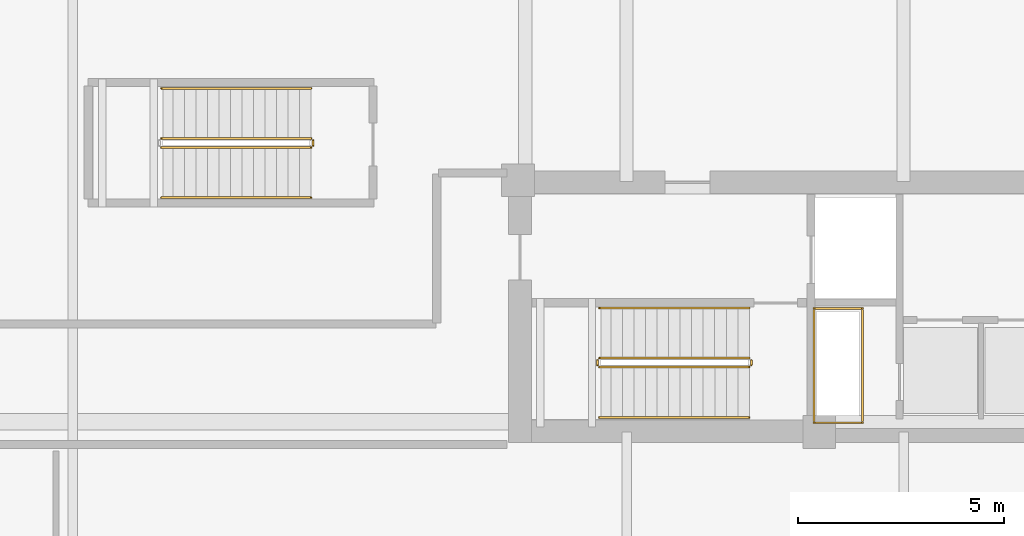
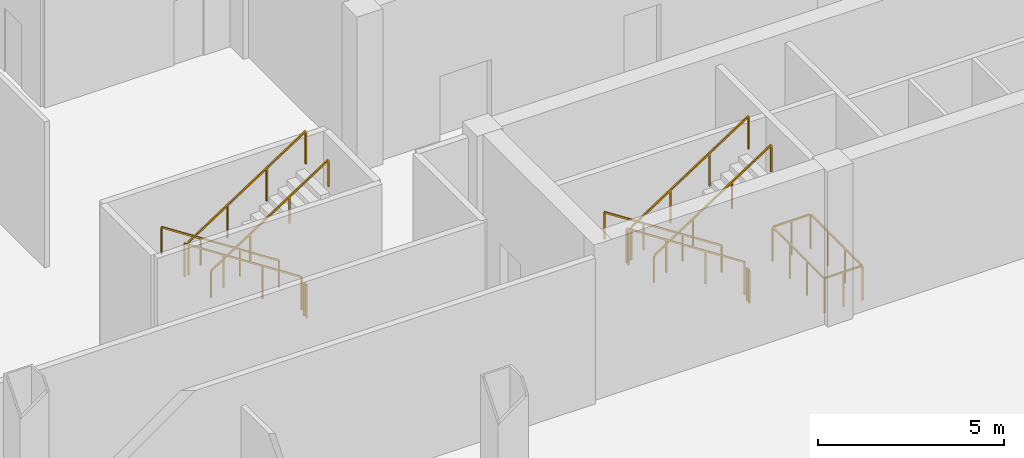
# One storey, part 16 of 21: 12 railings.
"""IFC4 building model written with IfcOpenShell, lengths in metres."""

from ifc_helpers import new_model, si_unit, direction, frame, origin, origin_2d, place, context, subcontext, project, spatial, rectangle, extrude, material, type_object, element, save


model = new_model("IFC4")

# Units and contexts
model_context = context("Model", 3, precision=1e-05, world=origin(), true_north=direction((0.0, 1.0)))
body_context = subcontext(model_context, "Body", "Model", "MODEL_VIEW")
ifc_project = project(units=[si_unit("LENGTHUNIT", "METRE"), si_unit("AREAUNIT", "SQUARE_METRE"), si_unit("VOLUMEUNIT", "CUBIC_METRE"), si_unit("PLANEANGLEUNIT", "RADIAN"), si_unit("MASSUNIT", "GRAM", prefix="KILO")], contexts=[model_context])

# Site, building, storey
site_placement = place(None, origin())
site = spatial("IfcSite", under=ifc_project, at=site_placement, CompositionType="ELEMENT")
building_placement = place(site_placement, origin())
building = spatial("IfcBuilding", under=site, at=building_placement, Name="Qhalaya Broadcast Tower", CompositionType="ELEMENT")
storey_placement = place(building_placement, origin())
storey = spatial("IfcBuildingStorey", under=building, at=storey_placement, Name="L00", CompositionType="ELEMENT", Elevation=0.0)

# Railings
ifc_material = material(Name="Powder-Coated Galvanised Steel", Category="steel")
railing_type_1 = type_object("IfcRailingType", Name="Stair Wall Handrail 900", PredefinedType="HANDRAIL", material=ifc_material)
railing_1_placement = place(storey_placement, frame((-3.75, -5.72998046875, 0.18212890625)))
element("IfcRailing", 1, at=railing_1_placement, inside=storey, type_object=railing_type_1, Name="L00 ST-2 Stair Handrail 1", PredefinedType="HANDRAIL", context=body_context, shape_type="SweptSolid", body=[
    extrude(rectangle(XDim=0.048095703125, YDim=0.048095703125, at=origin_2d()), frame((0.0, 0.0, 0.8759765625), z_axis=(-0.838234174257, 0.0, 0.545310433706), x_axis=(0.0, -1.0, 0.0)), (0.0, 0.0, 1.0), 4.34228515625),
    extrude(rectangle(XDim=0.0419921875, YDim=0.0419921875, at=origin_2d()), origin(), (0.0, 0.0, 1.0), 0.849853515625),
    extrude(rectangle(XDim=0.0419921875, YDim=0.0419921875, at=origin_2d()), frame((-1.21337890625, 0.0, 0.789306640625)), (0.0, 0.0, 1.0), 0.849853515625),
    extrude(rectangle(XDim=0.0419921875, YDim=0.0419921875, at=origin_2d()), frame((-2.426513671875, 0.0, 1.57861328125)), (0.0, 0.0, 1.0), 0.849853515625),
    extrude(rectangle(XDim=0.0419921875, YDim=0.0419921875, at=origin_2d()), frame((-3.639892578125, 0.0, 2.367919921875)), (0.0, 0.0, 1.0), 0.849853515625),
])
railing_2_placement = place(storey_placement, frame((-7.389892578125, -8.389892578125, 2.732177734375)))
element("IfcRailing", 2, at=railing_2_placement, inside=storey, type_object=railing_type_1, Name="L00 ST-2 Stair Handrail 2", PredefinedType="HANDRAIL", context=body_context, shape_type="SweptSolid", body=[
    extrude(rectangle(XDim=0.048095703125, YDim=0.048095703125, at=origin_2d()), frame((0.0, 0.0, 0.8759765625), z_axis=(0.838234174257, 0.0, 0.545310433706), x_axis=(0.0, 1.0, 0.0)), (0.0, 0.0, 1.0), 4.34228515625),
    extrude(rectangle(XDim=0.0419921875, YDim=0.0419921875, at=origin_2d()), origin(), (0.0, 0.0, 1.0), 0.849853515625),
    extrude(rectangle(XDim=0.0419921875, YDim=0.0419921875, at=origin_2d()), frame((1.21337890625, 0.0, 0.789306640625)), (0.0, 0.0, 1.0), 0.849853515625),
    extrude(rectangle(XDim=0.0419921875, YDim=0.0419921875, at=origin_2d()), frame((2.426513671875, 0.0, 1.57861328125)), (0.0, 0.0, 1.0), 0.849853515625),
    extrude(rectangle(XDim=0.0419921875, YDim=0.0419921875, at=origin_2d()), frame((3.639892578125, 0.0, 2.367919921875)), (0.0, 0.0, 1.0), 0.849853515625),
])
railing_3_placement = place(storey_placement, frame((-14.39990234375, -0.389892578125, 0.18212890625)))
element("IfcRailing", 3, at=railing_3_placement, inside=storey, type_object=railing_type_1, Name="L00 ST-P1 Stair Handrail 1", PredefinedType="HANDRAIL", context=body_context, shape_type="SweptSolid", body=[
    extrude(rectangle(XDim=0.048095703125, YDim=0.048095703125, at=origin_2d()), frame((0.0, 0.0, 0.8759765625), z_axis=(-0.83825089185, 0.0, 0.545284735081), x_axis=(0.0, -1.0, 0.0)), (0.0, 0.0, 1.0), 4.342529296875),
    extrude(rectangle(XDim=0.0419921875, YDim=0.0419921875, at=origin_2d()), origin(), (0.0, 0.0, 1.0), 0.849853515625),
    extrude(rectangle(XDim=0.0419921875, YDim=0.0419921875, at=origin_2d()), frame((-1.21337890625, 0.0, 0.789306640625)), (0.0, 0.0, 1.0), 0.849853515625),
    extrude(rectangle(XDim=0.0419921875, YDim=0.0419921875, at=origin_2d()), frame((-2.4267578125, 0.0, 1.57861328125)), (0.0, 0.0, 1.0), 0.849853515625),
    extrude(rectangle(XDim=0.0419921875, YDim=0.0419921875, at=origin_2d()), frame((-3.64013671875, 0.0, 2.367919921875)), (0.0, 0.0, 1.0), 0.849853515625),
])
railing_4_placement = place(storey_placement, frame((-18.0400390625, -3.050048828125, 2.732177734375)))
element("IfcRailing", 4, at=railing_4_placement, inside=storey, type_object=railing_type_1, Name="L00 ST-P1 Stair Handrail 2", PredefinedType="HANDRAIL", context=body_context, shape_type="SweptSolid", body=[
    extrude(rectangle(XDim=0.048095703125, YDim=0.048095703125, at=origin_2d()), frame((0.0, 0.0, 0.8759765625), z_axis=(0.83825089185, 0.0, 0.545284735081), x_axis=(0.0, 1.0, 0.0)), (0.0, 0.0, 1.0), 4.342529296875),
    extrude(rectangle(XDim=0.0419921875, YDim=0.0419921875, at=origin_2d()), origin(), (0.0, 0.0, 1.0), 0.849853515625),
    extrude(rectangle(XDim=0.0419921875, YDim=0.0419921875, at=origin_2d()), frame((1.21337890625, 0.0, 0.789306640625)), (0.0, 0.0, 1.0), 0.849853515625),
    extrude(rectangle(XDim=0.0419921875, YDim=0.0419921875, at=origin_2d()), frame((2.4267578125, 0.0, 1.57861328125)), (0.0, 0.0, 1.0), 0.849853515625),
    extrude(rectangle(XDim=0.0419921875, YDim=0.0419921875, at=origin_2d()), frame((3.64013671875, 0.0, 2.367919921875)), (0.0, 0.0, 1.0), 0.849853515625),
])
railing_type_2 = type_object("IfcRailingType", Name="Stair Well & Landing Guardrail 1100", PredefinedType="GUARDRAIL", material=ifc_material)
railing_5_placement = place(storey_placement, frame((-1.0, -8.52001953125, 0.0)))
element("IfcRailing", 5, at=railing_5_placement, inside=storey, type_object=railing_type_2, Name="L00 Service Riser Opening Safety Guard SRSR", PredefinedType="GUARDRAIL", context=body_context, shape_type="SweptSolid", body=[
    extrude(rectangle(XDim=0.048095703125, YDim=0.048095703125, at=origin_2d()), frame((0.0, 0.02880859375, 1.1259765625), z_axis=(0.0, 1.0, 0.0), x_axis=(-1.0, 0.0, 0.0)), (0.0, 0.0, 1.0), 2.722412109375),
    extrude(rectangle(XDim=0.048095703125, YDim=0.048095703125, at=origin_2d()), frame((-0.02880859375, 2.780029296875, 1.1259765625), z_axis=(-1.0, 0.0, 0.0), x_axis=(0.0, -1.0, 0.0)), (0.0, 0.0, 1.0), 1.122314453125),
    extrude(rectangle(XDim=0.048095703125, YDim=0.048095703125, at=origin_2d()), frame((-1.179931640625, 2.751220703125, 1.1259765625), z_axis=(0.0, -1.0, 0.0), x_axis=(1.0, 0.0, 0.0)), (0.0, 0.0, 1.0), 2.722412109375),
    extrude(rectangle(XDim=0.048095703125, YDim=0.048095703125, at=origin_2d()), frame((-1.151123046875, 0.0, 1.1259765625), z_axis=(1.0, 0.0, 0.0), x_axis=(0.0, 1.0, 0.0)), (0.0, 0.0, 1.0), 1.122314453125),
    extrude(rectangle(XDim=0.0419921875, YDim=0.0419921875, at=origin_2d()), origin(), (0.0, 0.0, 1.0), 1.099853515625),
    extrude(rectangle(XDim=0.0419921875, YDim=0.0419921875, at=origin_2d()), frame((0.0, 0.9267578125, 0.0)), (0.0, 0.0, 1.0), 1.099853515625),
    extrude(rectangle(XDim=0.0419921875, YDim=0.0419921875, at=origin_2d()), frame((0.0, 1.853271484375, 0.0)), (0.0, 0.0, 1.0), 1.099853515625),
    extrude(rectangle(XDim=0.0419921875, YDim=0.0419921875, at=origin_2d()), frame((0.0, 2.780029296875, 0.0)), (0.0, 0.0, 1.0), 1.099853515625),
    extrude(rectangle(XDim=0.0419921875, YDim=0.0419921875, at=origin_2d()), frame((-0.58984375, 2.780029296875, 0.0)), (0.0, 0.0, 1.0), 1.099853515625),
    extrude(rectangle(XDim=0.0419921875, YDim=0.0419921875, at=origin_2d()), frame((-1.179931640625, 2.780029296875, 0.0)), (0.0, 0.0, 1.0), 1.099853515625),
    extrude(rectangle(XDim=0.0419921875, YDim=0.0419921875, at=origin_2d()), frame((-1.179931640625, 1.853271484375, 0.0)), (0.0, 0.0, 1.0), 1.099853515625),
    extrude(rectangle(XDim=0.0419921875, YDim=0.0419921875, at=origin_2d()), frame((-1.179931640625, 0.9267578125, 0.0)), (0.0, 0.0, 1.0), 1.099853515625),
    extrude(rectangle(XDim=0.0419921875, YDim=0.0419921875, at=origin_2d()), frame((-1.179931640625, 0.0, 0.0)), (0.0, 0.0, 1.0), 1.099853515625),
    extrude(rectangle(XDim=0.0419921875, YDim=0.0419921875, at=origin_2d()), frame((-0.58984375, 0.0, 0.0)), (0.0, 0.0, 1.0), 1.099853515625),
])
railing_6_placement = place(storey_placement, frame((-3.75, -6.949951171875, 0.18212890625)))
element("IfcRailing", 6, at=railing_6_placement, inside=storey, type_object=railing_type_2, Name="L00 ST-2 Stair Guard 1", PredefinedType="GUARDRAIL", context=body_context, shape_type="SweptSolid", body=[
    extrude(rectangle(XDim=0.048095703125, YDim=0.048095703125, at=origin_2d()), frame((0.0, 0.0, 1.076171875), z_axis=(-0.838234174257, 0.0, 0.545310433706), x_axis=(0.0, -1.0, 0.0)), (0.0, 0.0, 1.0), 4.34228515625),
    extrude(rectangle(XDim=0.0419921875, YDim=0.0419921875, at=origin_2d()), origin(), (0.0, 0.0, 1.0), 1.050048828125),
    extrude(rectangle(XDim=0.0419921875, YDim=0.0419921875, at=origin_2d()), frame((-1.21337890625, 0.0, 0.789306640625)), (0.0, 0.0, 1.0), 1.050048828125),
    extrude(rectangle(XDim=0.0419921875, YDim=0.0419921875, at=origin_2d()), frame((-2.426513671875, 0.0, 1.57861328125)), (0.0, 0.0, 1.0), 1.050048828125),
    extrude(rectangle(XDim=0.0419921875, YDim=0.0419921875, at=origin_2d()), frame((-3.639892578125, 0.0, 2.367919921875)), (0.0, 0.0, 1.0), 1.050048828125),
])
railing_7_placement = place(storey_placement, frame((-7.43994140625, -7.0, 2.550048828125)))
element("IfcRailing", 7, at=railing_7_placement, inside=storey, type_object=railing_type_2, Name="L00 ST-2 Stair Guard 2", PredefinedType="GUARDRAIL", context=body_context, shape_type="SweptSolid", body=[
    extrude(rectangle(XDim=0.048095703125, YDim=0.048095703125, at=origin_2d()), frame((0.0, 0.0, 1.076171875), z_axis=(0.0, -1.0, 0.0), x_axis=(1.0, 0.0, 0.0)), (0.0, 0.0, 1.0), 0.1201171875),
    extrude(rectangle(XDim=0.0419921875, YDim=0.0419921875, at=origin_2d()), origin(), (0.0, 0.0, 1.0), 1.050048828125),
    extrude(rectangle(XDim=0.0419921875, YDim=0.0419921875, at=origin_2d()), frame((0.0, -0.1201171875, 0.0)), (0.0, 0.0, 1.0), 1.050048828125),
])
railing_8_placement = place(storey_placement, frame((-7.389892578125, -7.169921875, 2.732177734375)))
element("IfcRailing", 8, at=railing_8_placement, inside=storey, type_object=railing_type_2, Name="L00 ST-2 Stair Guard 3", PredefinedType="GUARDRAIL", context=body_context, shape_type="SweptSolid", body=[
    extrude(rectangle(XDim=0.048095703125, YDim=0.048095703125, at=origin_2d()), frame((0.0, 0.0, 1.076171875), z_axis=(0.838234174257, 0.0, 0.545310433706), x_axis=(0.0, 1.0, 0.0)), (0.0, 0.0, 1.0), 4.34228515625),
    extrude(rectangle(XDim=0.0419921875, YDim=0.0419921875, at=origin_2d()), origin(), (0.0, 0.0, 1.0), 1.050048828125),
    extrude(rectangle(XDim=0.0419921875, YDim=0.0419921875, at=origin_2d()), frame((1.21337890625, 0.0, 0.789306640625)), (0.0, 0.0, 1.0), 1.050048828125),
    extrude(rectangle(XDim=0.0419921875, YDim=0.0419921875, at=origin_2d()), frame((2.426513671875, 0.0, 1.57861328125)), (0.0, 0.0, 1.0), 1.050048828125),
    extrude(rectangle(XDim=0.0419921875, YDim=0.0419921875, at=origin_2d()), frame((3.639892578125, 0.0, 2.367919921875)), (0.0, 0.0, 1.0), 1.050048828125),
])
railing_9_placement = place(storey_placement, frame((-3.699951171875, -7.0, 0.0)))
element("IfcRailing", 9, at=railing_9_placement, inside=storey, type_object=railing_type_2, Name="L00 ST-2 Stair Guard 4", PredefinedType="GUARDRAIL", context=body_context, shape_type="SweptSolid", body=[
    extrude(rectangle(XDim=0.048095703125, YDim=0.048095703125, at=origin_2d()), frame((0.0, 0.0, 1.076171875), z_axis=(0.0, -1.0, 0.0), x_axis=(1.0, 0.0, 0.0)), (0.0, 0.0, 1.0), 0.1201171875),
    extrude(rectangle(XDim=0.0419921875, YDim=0.0419921875, at=origin_2d()), origin(), (0.0, 0.0, 1.0), 1.050048828125),
    extrude(rectangle(XDim=0.0419921875, YDim=0.0419921875, at=origin_2d()), frame((0.0, -0.1201171875, 0.0)), (0.0, 0.0, 1.0), 1.050048828125),
])
railing_10_placement = place(storey_placement, frame((-14.39990234375, -1.610107421875, 0.18212890625)))
element("IfcRailing", 10, at=railing_10_placement, inside=storey, type_object=railing_type_2, Name="L00 ST-P1 Stair Guard 1", PredefinedType="GUARDRAIL", context=body_context, shape_type="SweptSolid", body=[
    extrude(rectangle(XDim=0.048095703125, YDim=0.048095703125, at=origin_2d()), frame((0.0, 0.0, 1.076171875), z_axis=(-0.83825089185, 0.0, 0.545284735081), x_axis=(0.0, -1.0, 0.0)), (0.0, 0.0, 1.0), 4.342529296875),
    extrude(rectangle(XDim=0.0419921875, YDim=0.0419921875, at=origin_2d()), origin(), (0.0, 0.0, 1.0), 1.050048828125),
    extrude(rectangle(XDim=0.0419921875, YDim=0.0419921875, at=origin_2d()), frame((-1.21337890625, 0.0, 0.789306640625)), (0.0, 0.0, 1.0), 1.050048828125),
    extrude(rectangle(XDim=0.0419921875, YDim=0.0419921875, at=origin_2d()), frame((-2.4267578125, 0.0, 1.57861328125)), (0.0, 0.0, 1.0), 1.050048828125),
    extrude(rectangle(XDim=0.0419921875, YDim=0.0419921875, at=origin_2d()), frame((-3.64013671875, 0.0, 2.367919921875)), (0.0, 0.0, 1.0), 1.050048828125),
])
railing_11_placement = place(storey_placement, frame((-18.0400390625, -1.830078125, 2.732177734375)))
element("IfcRailing", 11, at=railing_11_placement, inside=storey, type_object=railing_type_2, Name="L00 ST-P1 Stair Guard 3", PredefinedType="GUARDRAIL", context=body_context, shape_type="SweptSolid", body=[
    extrude(rectangle(XDim=0.048095703125, YDim=0.048095703125, at=origin_2d()), frame((0.0, 0.0, 1.076171875), z_axis=(0.83825089185, 0.0, 0.545284735081), x_axis=(0.0, 1.0, 0.0)), (0.0, 0.0, 1.0), 4.342529296875),
    extrude(rectangle(XDim=0.0419921875, YDim=0.0419921875, at=origin_2d()), origin(), (0.0, 0.0, 1.0), 1.050048828125),
    extrude(rectangle(XDim=0.0419921875, YDim=0.0419921875, at=origin_2d()), frame((1.21337890625, 0.0, 0.789306640625)), (0.0, 0.0, 1.0), 1.050048828125),
    extrude(rectangle(XDim=0.0419921875, YDim=0.0419921875, at=origin_2d()), frame((2.4267578125, 0.0, 1.57861328125)), (0.0, 0.0, 1.0), 1.050048828125),
    extrude(rectangle(XDim=0.0419921875, YDim=0.0419921875, at=origin_2d()), frame((3.64013671875, 0.0, 2.367919921875)), (0.0, 0.0, 1.0), 1.050048828125),
])
railing_12_placement = place(storey_placement, frame((-14.35009765625, -1.659912109375, 0.0)))
element("IfcRailing", 12, at=railing_12_placement, inside=storey, type_object=railing_type_2, Name="L00 ST-P1 Stair Guard 4", PredefinedType="GUARDRAIL", context=body_context, shape_type="SweptSolid", body=[
    extrude(rectangle(XDim=0.048095703125, YDim=0.048095703125, at=origin_2d()), frame((0.0, 0.0, 1.076171875), z_axis=(0.0, -1.0, 0.0), x_axis=(1.0, 0.0, 0.0)), (0.0, 0.0, 1.0), 0.1201171875),
    extrude(rectangle(XDim=0.0419921875, YDim=0.0419921875, at=origin_2d()), origin(), (0.0, 0.0, 1.0), 1.050048828125),
    extrude(rectangle(XDim=0.0419921875, YDim=0.0419921875, at=origin_2d()), frame((0.0, -0.1201171875, 0.0)), (0.0, 0.0, 1.0), 1.050048828125),
])

save(model, "model.ifc")
